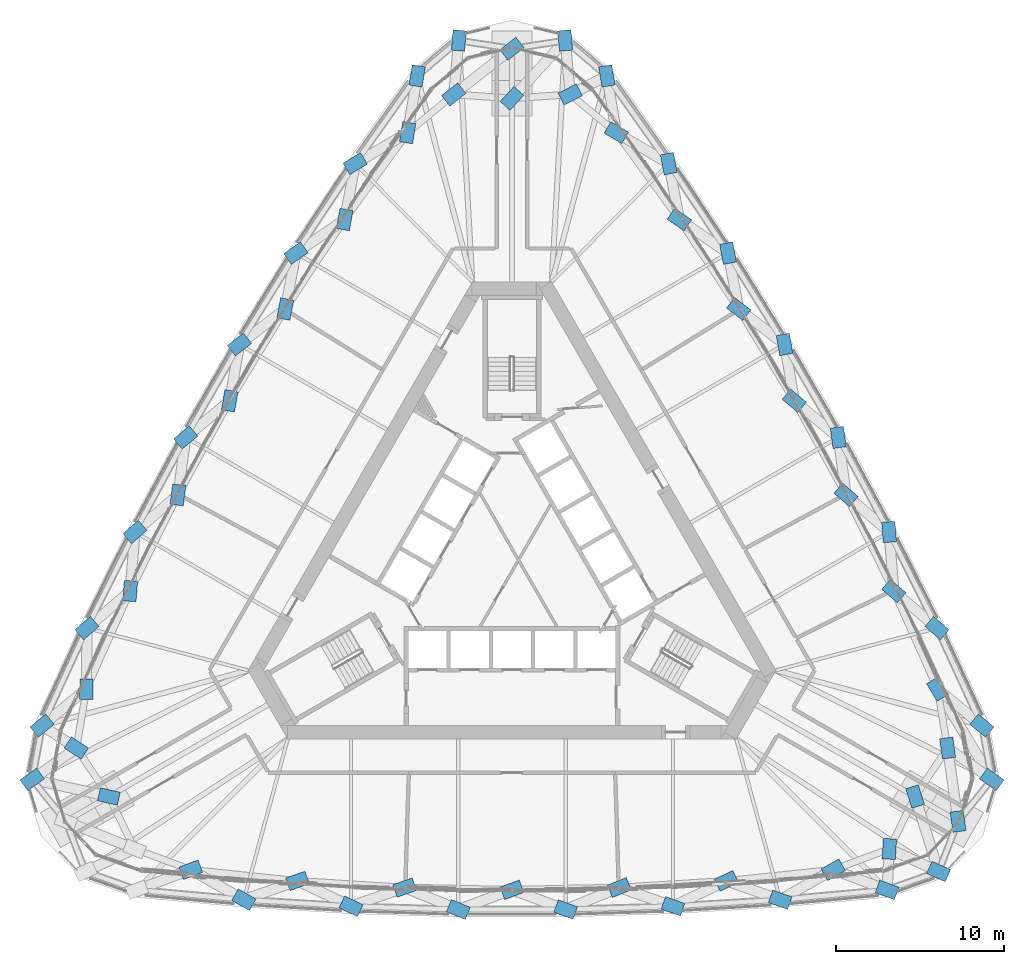
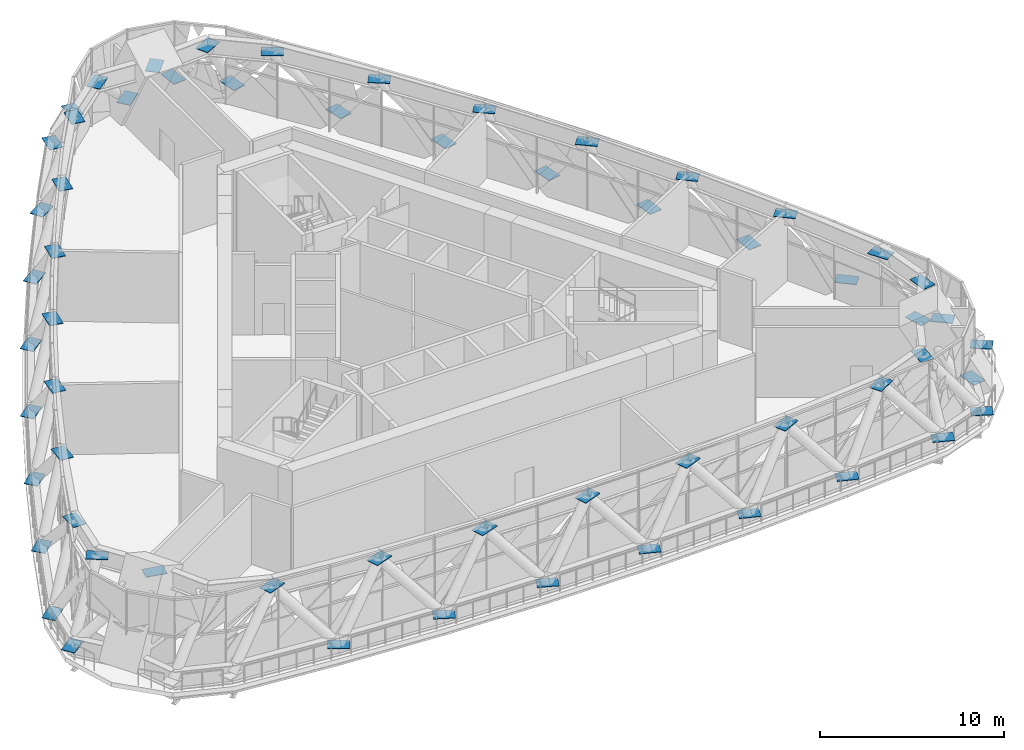
# One storey, part 26 of 35: 59 discrete accessories.
"""IFC4 building model written with IfcOpenShell, lengths in metres."""

from ifc_helpers import new_model, si_unit, direction, frame, origin, place, context, subcontext, project, spatial, polyline, outline, extrude, material, layer, layer_set, type_object, element, save


model = new_model("IFC4")

# Units and contexts
model_context = context("Model", 3, precision=1e-05, world=origin(), true_north=direction((0.0, 1.0)))
body_context = subcontext(model_context, "Body", "Model", "MODEL_VIEW")
ifc_project = project(units=[si_unit("LENGTHUNIT", "METRE"), si_unit("AREAUNIT", "SQUARE_METRE"), si_unit("VOLUMEUNIT", "CUBIC_METRE"), si_unit("PLANEANGLEUNIT", "RADIAN"), si_unit("MASSUNIT", "GRAM", prefix="KILO")], contexts=[model_context])

# Site, building, storey
site_placement = place(None, origin())
site = spatial("IfcSite", under=ifc_project, at=site_placement, CompositionType="ELEMENT")
building_placement = place(site_placement, origin())
building = spatial("IfcBuilding", under=site, at=building_placement, Name="Mestral Congress Tower", CompositionType="ELEMENT")
storey_placement = place(building_placement, frame((0.0, 0.0, 196.199951171875)))
storey = spatial("IfcBuildingStorey", under=building, at=storey_placement, Name="L46", CompositionType="ELEMENT", Elevation=196.199951171875)

# Discrete accessories
ifc_material = material(Name="Steel S355", Category="steel")
ifc_layer = layer(ifc_material, 0.034912109375)
ifc_layer_set = layer_set([ifc_layer], Name="Steel S355")
discrete_accessory_type = type_object("IfcDiscreteAccessoryType", Name="Brace end gusset plate 35 S355", PredefinedType="BRACKET", material=ifc_layer_set)
placement_1 = place(storey_placement, frame((0.0, 0.0, 0.58251953125)))
element("IfcDiscreteAccessory", 1, at=placement_1, inside=storey, type_object=discrete_accessory_type, Name="Brace end gusset plate 35 S355", PredefinedType="BRACKET", context=body_context, shape_type="SweptSolid", body=[
    extrude(outline(polyline([(-28.869140625, -13.527099609375), (-27.8740234375, -12.8212890625), (-28.332763671875, -12.174560546875), (-29.327880859375, -12.88037109375), (-28.869140625, -13.527099609375)])), origin(), (0.0, 0.0, 1.0), 0.034912109375),
])
element("IfcDiscreteAccessory", 2, at=placement_1, inside=storey, type_object=discrete_accessory_type, Name="Brace end gusset plate 35 S355", PredefinedType="BRACKET", context=body_context, shape_type="SweptSolid", body=[
    extrude(outline(polyline([(-28.23046875, -10.33740234375), (-27.288818359375, -9.561767578125), (-27.793212890625, -8.94970703125), (-28.734619140625, -9.725341796875), (-28.23046875, -10.33740234375)])), origin(), (0.0, 0.0, 1.0), 0.034912109375),
])
placement_2 = place(storey_placement, frame((0.0, 0.0, 4.532470703125)))
element("IfcDiscreteAccessory", 3, at=placement_2, inside=storey, type_object=discrete_accessory_type, Name="Brace end gusset plate 35 S355", PredefinedType="BRACKET", context=body_context, shape_type="SweptSolid", body=[
    extrude(outline(polyline([(-25.239013671875, -10.98486328125), (-26.259765625, -10.316650390625), (-26.694091796875, -10.97998046875), (-25.67333984375, -11.6484375), (-25.239013671875, -10.98486328125)])), origin(), (0.0, 0.0, 1.0), 0.03515625),
])
element("IfcDiscreteAccessory", 4, at=placement_2, inside=storey, type_object=discrete_accessory_type, Name="Brace end gusset plate 35 S355", PredefinedType="BRACKET", context=body_context, shape_type="SweptSolid", body=[
    extrude(outline(polyline([(-24.978515625, -8.080322265625), (-24.96630859375, -6.8603515625), (-25.759033203125, -6.852294921875), (-25.771484375, -8.072265625), (-24.978515625, -8.080322265625)])), origin(), (0.0, 0.0, 1.0), 0.03515625),
])
element("IfcDiscreteAccessory", 5, at=placement_1, inside=storey, type_object=discrete_accessory_type, Name="Brace end gusset plate 35 S355", PredefinedType="BRACKET", context=body_context, shape_type="SweptSolid", body=[
    extrude(outline(polyline([(-25.53662109375, -4.52978515625), (-24.611083984375, -3.735107421875), (-25.127685546875, -3.133544921875), (-26.05322265625, -3.928466796875), (-25.53662109375, -4.52978515625)])), origin(), (0.0, 0.0, 1.0), 0.034912109375),
])
element("IfcDiscreteAccessory", 6, at=placement_2, inside=storey, type_object=discrete_accessory_type, Name="Brace end gusset plate 35 S355", PredefinedType="BRACKET", context=body_context, shape_type="SweptSolid", body=[
    extrude(outline(polyline([(-23.345703125, -13.6181640625), (-24.536376953125, -13.352294921875), (-24.708984375, -14.126220703125), (-23.5185546875, -14.39208984375), (-23.345703125, -13.6181640625)])), origin(), (0.0, 0.0, 1.0), 0.03515625),
])
element("IfcDiscreteAccessory", 7, at=placement_2, inside=storey, type_object=discrete_accessory_type, Name="Brace end gusset plate 35 S355", PredefinedType="BRACKET", context=body_context, shape_type="SweptSolid", body=[
    extrude(outline(polyline([(-22.414306640625, -2.262451171875), (-22.31591796875, -1.04638671875), (-23.1064453125, -0.982666015625), (-23.20458984375, -2.19873046875), (-22.414306640625, -2.262451171875)])), origin(), (0.0, 0.0, 1.0), 0.03515625),
])
element("IfcDiscreteAccessory", 8, at=placement_1, inside=storey, type_object=discrete_accessory_type, Name="Brace end gusset plate 35 S355", PredefinedType="BRACKET", context=body_context, shape_type="SweptSolid", body=[
    extrude(outline(polyline([(-22.67919921875, 1.19677734375), (-21.755615234375, 1.99365234375), (-22.2734375, 2.59423828125), (-23.197265625, 1.79736328125), (-22.67919921875, 1.19677734375)])), origin(), (0.0, 0.0, 1.0), 0.034912109375),
])
element("IfcDiscreteAccessory", 9, at=placement_2, inside=storey, type_object=discrete_accessory_type, Name="Brace end gusset plate 35 S355", PredefinedType="BRACKET", context=body_context, shape_type="SweptSolid", body=[
    extrude(outline(polyline([(-19.6005859375, 3.4501953125), (-19.436767578125, 4.6591796875), (-20.222412109375, 4.765625), (-20.38623046875, 3.556640625), (-19.6005859375, 3.4501953125)])), origin(), (0.0, 0.0, 1.0), 0.03515625),
])
element("IfcDiscreteAccessory", 10, at=placement_1, inside=storey, type_object=discrete_accessory_type, Name="Brace end gusset plate 35 S355", PredefinedType="BRACKET", context=body_context, shape_type="SweptSolid", body=[
    extrude(outline(polyline([(-19.662109375, 6.837890625), (-18.724609375, 7.61865234375), (-19.232421875, 8.22802734375), (-20.169677734375, 7.447021484375), (-19.662109375, 6.837890625)])), origin(), (0.0, 0.0, 1.0), 0.034912109375),
])
element("IfcDiscreteAccessory", 11, at=placement_2, inside=storey, type_object=discrete_accessory_type, Name="Brace end gusset plate 35 S355", PredefinedType="BRACKET", context=body_context, shape_type="SweptSolid", body=[
    extrude(outline(polyline([(-18.718017578125, -17.651611328125), (-19.860595703125, -18.079345703125), (-19.582763671875, -18.822021484375), (-18.440185546875, -18.394287109375), (-18.718017578125, -17.651611328125)])), origin(), (0.0, 0.0, 1.0), 0.03515625),
])
element("IfcDiscreteAccessory", 12, at=placement_2, inside=storey, type_object=discrete_accessory_type, Name="Brace end gusset plate 35 S355", PredefinedType="BRACKET", context=body_context, shape_type="SweptSolid", body=[
    extrude(outline(polyline([(-16.54052734375, 9.046630859375), (-16.3330078125, 10.248779296875), (-17.1142578125, 10.3837890625), (-17.322021484375, 9.181640625), (-16.54052734375, 9.046630859375)])), origin(), (0.0, 0.0, 1.0), 0.03515625),
])
element("IfcDiscreteAccessory", 13, at=placement_1, inside=storey, type_object=discrete_accessory_type, Name="Brace end gusset plate 35 S355", PredefinedType="BRACKET", context=body_context, shape_type="SweptSolid", body=[
    extrude(outline(polyline([(-16.4873046875, 12.388427734375), (-15.522216796875, 13.135009765625), (-16.00732421875, 13.76220703125), (-16.972412109375, 13.015625), (-16.4873046875, 12.388427734375)])), origin(), (0.0, 0.0, 1.0), 0.034912109375),
])
element("IfcDiscreteAccessory", 14, at=placement_1, inside=storey, type_object=discrete_accessory_type, Name="Brace end gusset plate 35 S355", PredefinedType="BRACKET", context=body_context, shape_type="SweptSolid", body=[
    extrude(outline(polyline([(-15.25830078125, -19.976806640625), (-16.321044921875, -19.37744140625), (-16.710693359375, -20.068115234375), (-15.64794921875, -20.66748046875), (-15.25830078125, -19.976806640625)])), origin(), (0.0, 0.0, 1.0), 0.034912109375),
])
element("IfcDiscreteAccessory", 15, at=placement_2, inside=storey, type_object=discrete_accessory_type, Name="Brace end gusset plate 35 S355", PredefinedType="BRACKET", context=body_context, shape_type="SweptSolid", body=[
    extrude(outline(polyline([(-13.23779296875, 14.5166015625), (-13.009765625, 15.715087890625), (-13.788818359375, 15.86328125), (-14.016845703125, 14.664794921875), (-13.23779296875, 14.5166015625)])), origin(), (0.0, 0.0, 1.0), 0.03515625),
])
element("IfcDiscreteAccessory", 16, at=placement_1, inside=storey, type_object=discrete_accessory_type, Name="Brace end gusset plate 35 S355", PredefinedType="BRACKET", context=body_context, shape_type="SweptSolid", body=[
    extrude(outline(polyline([(-13.156494140625, 17.844482421875), (-12.152587890625, 18.53759765625), (-12.60302734375, 19.190185546875), (-13.607177734375, 18.497314453125), (-13.156494140625, 17.844482421875)])), origin(), (0.0, 0.0, 1.0), 0.034912109375),
])
element("IfcDiscreteAccessory", 17, at=placement_2, inside=storey, type_object=discrete_accessory_type, Name="Brace end gusset plate 35 S355", PredefinedType="BRACKET", context=body_context, shape_type="SweptSolid", body=[
    extrude(outline(polyline([(-12.341064453125, -18.323486328125), (-13.4921875, -18.7275390625), (-13.2294921875, -19.475830078125), (-12.078369140625, -19.07177734375), (-12.341064453125, -18.323486328125)])), origin(), (0.0, 0.0, 1.0), 0.03515625),
])
element("IfcDiscreteAccessory", 18, at=placement_2, inside=storey, type_object=discrete_accessory_type, Name="Brace end gusset plate 35 S355", PredefinedType="BRACKET", context=body_context, shape_type="SweptSolid", body=[
    extrude(outline(polyline([(-9.697998046875, 19.849365234375), (-9.472412109375, 21.04833984375), (-10.251708984375, 21.195068359375), (-10.477294921875, 19.99609375), (-9.697998046875, 19.849365234375)])), origin(), (0.0, 0.0, 1.0), 0.03515625),
])
element("IfcDiscreteAccessory", 19, at=placement_1, inside=storey, type_object=discrete_accessory_type, Name="Brace end gusset plate 35 S355", PredefinedType="BRACKET", context=body_context, shape_type="SweptSolid", body=[
    extrude(outline(polyline([(-8.87548828125, -20.316162109375), (-9.977783203125, -19.793212890625), (-10.317626953125, -20.509521484375), (-9.215576171875, -21.03271484375), (-8.87548828125, -20.316162109375)])), origin(), (0.0, 0.0, 1.0), 0.034912109375),
])
element("IfcDiscreteAccessory", 20, at=placement_1, inside=storey, type_object=discrete_accessory_type, Name="Brace end gusset plate 35 S355", PredefinedType="BRACKET", context=body_context, shape_type="SweptSolid", body=[
    extrude(outline(polyline([(-9.671142578125, 23.202392578125), (-8.620849609375, 23.822998046875), (-9.024169921875, 24.505859375), (-10.07470703125, 23.88525390625), (-9.671142578125, 23.202392578125)])), origin(), (0.0, 0.0, 1.0), 0.034912109375),
])
element("IfcDiscreteAccessory", 21, at=placement_2, inside=storey, type_object=discrete_accessory_type, Name="Brace end gusset plate 35 S355", PredefinedType="BRACKET", context=body_context, shape_type="SweptSolid", body=[
    extrude(outline(polyline([(-5.95263671875, -18.72265625), (-7.104736328125, -19.124267578125), (-6.84375, -19.873046875), (-5.691650390625, -19.471435546875), (-5.95263671875, -18.72265625)])), origin(), (0.0, 0.0, 1.0), 0.03515625),
])
element("IfcDiscreteAccessory", 22, at=placement_2, inside=storey, type_object=discrete_accessory_type, Name="Brace end gusset plate 35 S355", PredefinedType="BRACKET", context=body_context, shape_type="SweptSolid", body=[
    extrude(outline(polyline([(-5.927734375, 25.0361328125), (-5.726806640625, 26.239501953125), (-6.509033203125, 26.3701171875), (-6.7099609375, 25.166748046875), (-5.927734375, 25.0361328125)])), origin(), (0.0, 0.0, 1.0), 0.03515625),
])
element("IfcDiscreteAccessory", 23, at=placement_1, inside=storey, type_object=discrete_accessory_type, Name="Brace end gusset plate 35 S355", PredefinedType="BRACKET", context=body_context, shape_type="SweptSolid", body=[
    extrude(outline(polyline([(-5.945068359375, 29.747802734375), (-6.14599609375, 28.544189453125), (-5.36376953125, 28.413818359375), (-5.162841796875, 29.6171875), (-5.945068359375, 29.747802734375)])), origin(), (0.0, 0.0, 1.0), 0.034912109375),
])
element("IfcDiscreteAccessory", 24, at=placement_2, inside=storey, type_object=discrete_accessory_type, Name="Brace end gusset plate 35 S355", PredefinedType="BRACKET", context=body_context, shape_type="SweptSolid", body=[
    extrude(outline(polyline([(-3.707275390625, 27.29052734375), (-2.74755859375, 28.043701171875), (-3.237060546875, 28.66748046875), (-4.197021484375, 27.914306640625), (-3.707275390625, 27.29052734375)])), origin(), (0.0, 0.0, 1.0), 0.03515625),
])
element("IfcDiscreteAccessory", 25, at=placement_1, inside=storey, type_object=discrete_accessory_type, Name="Brace end gusset plate 35 S355", PredefinedType="BRACKET", context=body_context, shape_type="SweptSolid", body=[
    extrude(outline(polyline([(-2.485107421875, -20.47265625), (-3.614013671875, -20.010009765625), (-3.914794921875, -20.743896484375), (-2.785888671875, -21.206298828125), (-2.485107421875, -20.47265625)])), origin(), (0.0, 0.0, 1.0), 0.034912109375),
])
element("IfcDiscreteAccessory", 26, at=placement_1, inside=storey, type_object=discrete_accessory_type, Name="Brace end gusset plate 35 S355", PredefinedType="BRACKET", context=body_context, shape_type="SweptSolid", body=[
    extrude(outline(polyline([(-3.50927734375, 31.8388671875), (-3.622802734375, 30.624267578125), (-2.83349609375, 30.55029296875), (-2.7197265625, 31.764892578125), (-3.50927734375, 31.8388671875)])), origin(), (0.0, 0.0, 1.0), 0.034912109375),
])
element("IfcDiscreteAccessory", 27, at=placement_2, inside=storey, type_object=discrete_accessory_type, Name="Brace end gusset plate 35 S355", PredefinedType="BRACKET", context=body_context, shape_type="SweptSolid", body=[
    extrude(outline(polyline([(0.435546875, -18.847900390625), (-0.70947265625, -19.269287109375), (-0.435546875, -20.013427734375), (0.70947265625, -19.592041015625), (0.435546875, -18.847900390625)])), origin(), (0.0, 0.0, 1.0), 0.03515625),
])
element("IfcDiscreteAccessory", 28, at=placement_2, inside=storey, type_object=discrete_accessory_type, Name="Brace end gusset plate 35 S355", PredefinedType="BRACKET", context=body_context, shape_type="SweptSolid", body=[
    extrude(outline(polyline([(-0.120849609375, 27.027099609375), (0.70458984375, 27.92529296875), (0.120849609375, 28.4619140625), (-0.70458984375, 27.563720703125), (-0.120849609375, 27.027099609375)])), origin(), (0.0, 0.0, 1.0), 0.03515625),
])
element("IfcDiscreteAccessory", 29, at=placement_1, inside=storey, type_object=discrete_accessory_type, Name="Brace end gusset plate 35 S355", PredefinedType="BRACKET", context=body_context, shape_type="SweptSolid", body=[
    extrude(outline(polyline([(0.235107421875, 31.392578125), (-0.724609375, 30.639404296875), (-0.235107421875, 30.015625), (0.724609375, 30.768798828125), (0.235107421875, 31.392578125)])), origin(), (0.0, 0.0, 1.0), 0.034912109375),
])
element("IfcDiscreteAccessory", 30, at=placement_1, inside=storey, type_object=discrete_accessory_type, Name="Brace end gusset plate 35 S355", PredefinedType="BRACKET", context=body_context, shape_type="SweptSolid", body=[
    extrude(outline(polyline([(2.7197265625, 31.764892578125), (2.83349609375, 30.55029296875), (3.622802734375, 30.624267578125), (3.50927734375, 31.8388671875), (2.7197265625, 31.764892578125)])), origin(), (0.0, 0.0, 1.0), 0.034912109375),
])
element("IfcDiscreteAccessory", 31, at=placement_1, inside=storey, type_object=discrete_accessory_type, Name="Brace end gusset plate 35 S355", PredefinedType="BRACKET", context=body_context, shape_type="SweptSolid", body=[
    extrude(outline(polyline([(3.9091796875, -20.44677734375), (2.764404296875, -20.025390625), (2.490478515625, -20.76953125), (3.635498046875, -21.19091796875), (3.9091796875, -20.44677734375)])), origin(), (0.0, 0.0, 1.0), 0.034912109375),
])
element("IfcDiscreteAccessory", 32, at=placement_2, inside=storey, type_object=discrete_accessory_type, Name="Brace end gusset plate 35 S355", PredefinedType="BRACKET", context=body_context, shape_type="SweptSolid", body=[
    extrude(outline(polyline([(3.1064453125, 27.35009765625), (4.1953125, 27.89990234375), (3.837890625, 28.60791015625), (2.7490234375, 28.05810546875), (3.1064453125, 27.35009765625)])), origin(), (0.0, 0.0, 1.0), 0.03515625),
])
element("IfcDiscreteAccessory", 33, at=placement_1, inside=storey, type_object=discrete_accessory_type, Name="Brace end gusset plate 35 S355", PredefinedType="BRACKET", context=body_context, shape_type="SweptSolid", body=[
    extrude(outline(polyline([(5.162841796875, 29.6171875), (5.36376953125, 28.413818359375), (6.14599609375, 28.544189453125), (5.945068359375, 29.747802734375), (5.162841796875, 29.6171875)])), origin(), (0.0, 0.0, 1.0), 0.034912109375),
])
element("IfcDiscreteAccessory", 34, at=placement_2, inside=storey, type_object=discrete_accessory_type, Name="Brace end gusset plate 35 S355", PredefinedType="BRACKET", context=body_context, shape_type="SweptSolid", body=[
    extrude(outline(polyline([(5.491455078125, 25.672119140625), (6.5419921875, 25.051513671875), (6.9453125, 25.734375), (5.89501953125, 26.35498046875), (5.491455078125, 25.672119140625)])), origin(), (0.0, 0.0, 1.0), 0.03515625),
])
element("IfcDiscreteAccessory", 35, at=placement_2, inside=storey, type_object=discrete_accessory_type, Name="Brace end gusset plate 35 S355", PredefinedType="BRACKET", context=body_context, shape_type="SweptSolid", body=[
    extrude(outline(polyline([(6.812255859375, -18.69970703125), (5.683349609375, -19.162109375), (5.984130859375, -19.89599609375), (7.113037109375, -19.433349609375), (6.812255859375, -18.69970703125)])), origin(), (0.0, 0.0, 1.0), 0.03515625),
])
element("IfcDiscreteAccessory", 36, at=placement_1, inside=storey, type_object=discrete_accessory_type, Name="Brace end gusset plate 35 S355", PredefinedType="BRACKET", context=body_context, shape_type="SweptSolid", body=[
    extrude(outline(polyline([(8.84521484375, 24.38037109375), (9.07080078125, 23.181396484375), (9.85009765625, 23.328125), (9.62451171875, 24.527099609375), (8.84521484375, 24.38037109375)])), origin(), (0.0, 0.0, 1.0), 0.034912109375),
])
element("IfcDiscreteAccessory", 37, at=placement_1, inside=storey, type_object=discrete_accessory_type, Name="Brace end gusset plate 35 S355", PredefinedType="BRACKET", context=body_context, shape_type="SweptSolid", body=[
    extrude(outline(polyline([(10.302978515625, -20.2392578125), (9.151123046875, -19.837646484375), (8.89013671875, -20.58642578125), (10.0419921875, -20.988037109375), (10.302978515625, -20.2392578125)])), origin(), (0.0, 0.0, 1.0), 0.034912109375),
])
element("IfcDiscreteAccessory", 38, at=placement_2, inside=storey, type_object=discrete_accessory_type, Name="Brace end gusset plate 35 S355", PredefinedType="BRACKET", context=body_context, shape_type="SweptSolid", body=[
    extrude(outline(polyline([(9.24755859375, 20.54248046875), (10.251708984375, 19.849365234375), (10.7021484375, 20.501953125), (9.697998046875, 21.195068359375), (9.24755859375, 20.54248046875)])), origin(), (0.0, 0.0, 1.0), 0.03515625),
])
element("IfcDiscreteAccessory", 39, at=placement_2, inside=storey, type_object=discrete_accessory_type, Name="Brace end gusset plate 35 S355", PredefinedType="BRACKET", context=body_context, shape_type="SweptSolid", body=[
    extrude(outline(polyline([(13.16650390625, -18.280029296875), (12.064208984375, -18.802978515625), (12.404296875, -19.519287109375), (13.50634765625, -18.996337890625), (13.16650390625, -18.280029296875)])), origin(), (0.0, 0.0, 1.0), 0.03515625),
])
element("IfcDiscreteAccessory", 40, at=placement_1, inside=storey, type_object=discrete_accessory_type, Name="Brace end gusset plate 35 S355", PredefinedType="BRACKET", context=body_context, shape_type="SweptSolid", body=[
    extrude(outline(polyline([(12.376220703125, 19.04248046875), (12.6044921875, 17.843994140625), (13.38330078125, 17.9921875), (13.1552734375, 19.19091796875), (12.376220703125, 19.04248046875)])), origin(), (0.0, 0.0, 1.0), 0.034912109375),
])
element("IfcDiscreteAccessory", 41, at=placement_2, inside=storey, type_object=discrete_accessory_type, Name="Brace end gusset plate 35 S355", PredefinedType="BRACKET", context=body_context, shape_type="SweptSolid", body=[
    extrude(outline(polyline([(12.7880859375, 15.24951171875), (13.753173828125, 14.503173828125), (14.23828125, 15.13037109375), (13.2734375, 15.876708984375), (12.7880859375, 15.24951171875)])), origin(), (0.0, 0.0, 1.0), 0.03515625),
])
element("IfcDiscreteAccessory", 42, at=placement_1, inside=storey, type_object=discrete_accessory_type, Name="Brace end gusset plate 35 S355", PredefinedType="BRACKET", context=body_context, shape_type="SweptSolid", body=[
    extrude(outline(polyline([(16.69140625, -19.850341796875), (15.540283203125, -19.4462890625), (15.277587890625, -20.194580078125), (16.4287109375, -20.598388671875), (16.69140625, -19.850341796875)])), origin(), (0.0, 0.0, 1.0), 0.034912109375),
])
element("IfcDiscreteAccessory", 43, at=placement_1, inside=storey, type_object=discrete_accessory_type, Name="Brace end gusset plate 35 S355", PredefinedType="BRACKET", context=body_context, shape_type="SweptSolid", body=[
    extrude(outline(polyline([(15.752685546875, 13.60888671875), (15.96044921875, 12.40673828125), (16.74169921875, 12.541748046875), (16.5341796875, 13.743896484375), (15.752685546875, 13.60888671875)])), origin(), (0.0, 0.0, 1.0), 0.034912109375),
])
element("IfcDiscreteAccessory", 44, at=placement_2, inside=storey, type_object=discrete_accessory_type, Name="Brace end gusset plate 35 S355", PredefinedType="BRACKET", context=body_context, shape_type="SweptSolid", body=[
    extrude(outline(polyline([(16.10498046875, 9.801025390625), (17.042236328125, 9.020263671875), (17.5498046875, 9.62939453125), (16.612548828125, 10.410400390625), (16.10498046875, 9.801025390625)])), origin(), (0.0, 0.0, 1.0), 0.03515625),
])
element("IfcDiscreteAccessory", 45, at=placement_2, inside=storey, type_object=discrete_accessory_type, Name="Brace end gusset plate 35 S355", PredefinedType="BRACKET", context=body_context, shape_type="SweptSolid", body=[
    extrude(outline(polyline([(19.48681640625, -17.591796875), (18.42431640625, -18.191162109375), (18.81396484375, -18.8818359375), (19.87646484375, -18.282470703125), (19.48681640625, -17.591796875)])), origin(), (0.0, 0.0, 1.0), 0.03515625),
])
element("IfcDiscreteAccessory", 46, at=placement_1, inside=storey, type_object=discrete_accessory_type, Name="Brace end gusset plate 35 S355", PredefinedType="BRACKET", context=body_context, shape_type="SweptSolid", body=[
    extrude(outline(polyline([(18.972412109375, 8.083984375), (19.13623046875, 6.875244140625), (19.922119140625, 6.981689453125), (19.75830078125, 8.190673828125), (18.972412109375, 8.083984375)])), origin(), (0.0, 0.0, 1.0), 0.034912109375),
])
element("IfcDiscreteAccessory", 47, at=placement_2, inside=storey, type_object=discrete_accessory_type, Name="Brace end gusset plate 35 S355", PredefinedType="BRACKET", context=body_context, shape_type="SweptSolid", body=[
    extrude(outline(polyline([(19.190673828125, 4.2060546875), (20.114501953125, 3.4091796875), (20.63232421875, 4.009765625), (19.70849609375, 4.806640625), (19.190673828125, 4.2060546875)])), origin(), (0.0, 0.0, 1.0), 0.03515625),
])
element("IfcDiscreteAccessory", 48, at=placement_1, inside=storey, type_object=discrete_accessory_type, Name="Brace end gusset plate 35 S355", PredefinedType="BRACKET", context=body_context, shape_type="SweptSolid", body=[
    extrude(outline(polyline([(23.067626953125, -19.27978515625), (21.925048828125, -18.85205078125), (21.647216796875, -19.5947265625), (22.789794921875, -20.0224609375), (23.067626953125, -19.27978515625)])), origin(), (0.0, 0.0, 1.0), 0.034912109375),
])
element("IfcDiscreteAccessory", 49, at=placement_2, inside=storey, type_object=discrete_accessory_type, Name="Brace end gusset plate 35 S355", PredefinedType="BRACKET", context=body_context, shape_type="SweptSolid", body=[
    extrude(outline(polyline([(22.1328125, -16.365234375), (22.064208984375, -17.583251953125), (22.856201171875, -17.627685546875), (22.924560546875, -16.40966796875), (22.1328125, -16.365234375)])), origin(), (0.0, 0.0, 1.0), 0.03515625),
])
element("IfcDiscreteAccessory", 50, at=placement_1, inside=storey, type_object=discrete_accessory_type, Name="Brace end gusset plate 35 S355", PredefinedType="BRACKET", context=body_context, shape_type="SweptSolid", body=[
    extrude(outline(polyline([(22.031982421875, 2.4716796875), (22.13037109375, 1.255615234375), (22.920654296875, 1.3193359375), (22.822509765625, 2.535400390625), (22.031982421875, 2.4716796875)])), origin(), (0.0, 0.0, 1.0), 0.034912109375),
])
element("IfcDiscreteAccessory", 51, at=placement_2, inside=storey, type_object=discrete_accessory_type, Name="Brace end gusset plate 35 S355", PredefinedType="BRACKET", context=body_context, shape_type="SweptSolid", body=[
    extrude(outline(polyline([(22.039306640625, -1.52587890625), (22.964599609375, -2.32080078125), (23.4814453125, -1.71923828125), (22.555908203125, -0.92431640625), (22.039306640625, -1.52587890625)])), origin(), (0.0, 0.0, 1.0), 0.03515625),
])
element("IfcDiscreteAccessory", 52, at=placement_2, inside=storey, type_object=discrete_accessory_type, Name="Brace end gusset plate 35 S355", PredefinedType="BRACKET", context=body_context, shape_type="SweptSolid", body=[
    extrude(outline(polyline([(23.466552734375, -13.40869140625), (23.83154296875, -14.572998046875), (24.58837890625, -14.335693359375), (24.22314453125, -13.17138671875), (23.466552734375, -13.40869140625)])), origin(), (0.0, 0.0, 1.0), 0.03515625),
])
element("IfcDiscreteAccessory", 53, at=placement_2, inside=storey, type_object=discrete_accessory_type, Name="Brace end gusset plate 35 S355", PredefinedType="BRACKET", context=body_context, shape_type="SweptSolid", body=[
    extrude(outline(polyline([(24.71484375, -7.1474609375), (25.3427734375, -8.193359375), (26.022705078125, -7.78515625), (25.394775390625, -6.7392578125), (24.71484375, -7.1474609375)])), origin(), (0.0, 0.0, 1.0), 0.03515625),
])
element("IfcDiscreteAccessory", 54, at=placement_1, inside=storey, type_object=discrete_accessory_type, Name="Brace end gusset plate 35 S355", PredefinedType="BRACKET", context=body_context, shape_type="SweptSolid", body=[
    extrude(outline(polyline([(26.05322265625, -3.928466796875), (25.127685546875, -3.133544921875), (24.611083984375, -3.735107421875), (25.53662109375, -4.52978515625), (26.05322265625, -3.928466796875)])), origin(), (0.0, 0.0, 1.0), 0.034912109375),
])
element("IfcDiscreteAccessory", 55, at=placement_1, inside=storey, type_object=discrete_accessory_type, Name="Brace end gusset plate 35 S355", PredefinedType="BRACKET", context=body_context, shape_type="SweptSolid", body=[
    extrude(outline(polyline([(26.1494140625, -18.23779296875), (25.040771484375, -17.72900390625), (24.7099609375, -18.44970703125), (25.818603515625, -18.95849609375), (26.1494140625, -18.23779296875)])), origin(), (0.0, 0.0, 1.0), 0.034912109375),
])
element("IfcDiscreteAccessory", 56, at=placement_2, inside=storey, type_object=discrete_accessory_type, Name="Brace end gusset plate 35 S355", PredefinedType="BRACKET", context=body_context, shape_type="SweptSolid", body=[
    extrude(outline(polyline([(25.48779296875, -10.434814453125), (25.660400390625, -11.642333984375), (26.4453125, -11.5302734375), (26.27294921875, -10.322509765625), (25.48779296875, -10.434814453125)])), origin(), (0.0, 0.0, 1.0), 0.03515625),
])
element("IfcDiscreteAccessory", 57, at=placement_1, inside=storey, type_object=discrete_accessory_type, Name="Brace end gusset plate 35 S355", PredefinedType="BRACKET", context=body_context, shape_type="SweptSolid", body=[
    extrude(outline(polyline([(27.0693359375, -15.89990234375), (26.89697265625, -14.692138671875), (26.11181640625, -14.80419921875), (26.2841796875, -16.011962890625), (27.0693359375, -15.89990234375)])), origin(), (0.0, 0.0, 1.0), 0.034912109375),
])
element("IfcDiscreteAccessory", 58, at=placement_1, inside=storey, type_object=discrete_accessory_type, Name="Brace end gusset plate 35 S355", PredefinedType="BRACKET", context=body_context, shape_type="SweptSolid", body=[
    extrude(outline(polyline([(28.734619140625, -9.725341796875), (27.793212890625, -8.94970703125), (27.288818359375, -9.561767578125), (28.23046875, -10.33740234375), (28.734619140625, -9.725341796875)])), origin(), (0.0, 0.0, 1.0), 0.034912109375),
])
element("IfcDiscreteAccessory", 59, at=placement_1, inside=storey, type_object=discrete_accessory_type, Name="Brace end gusset plate 35 S355", PredefinedType="BRACKET", context=body_context, shape_type="SweptSolid", body=[
    extrude(outline(polyline([(29.327880859375, -12.88037109375), (28.332763671875, -12.174560546875), (27.8740234375, -12.8212890625), (28.869140625, -13.527099609375), (29.327880859375, -12.88037109375)])), origin(), (0.0, 0.0, 1.0), 0.034912109375),
])

save(model, "model.ifc")
